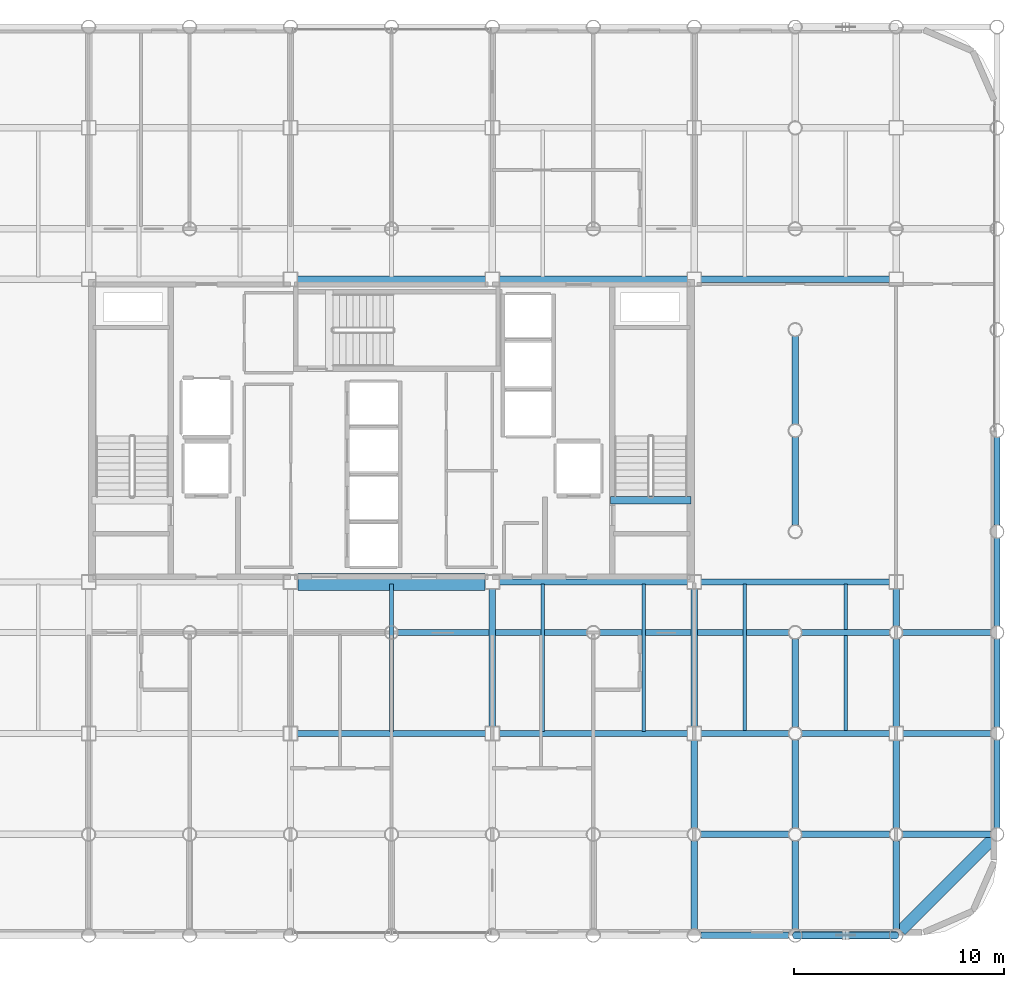
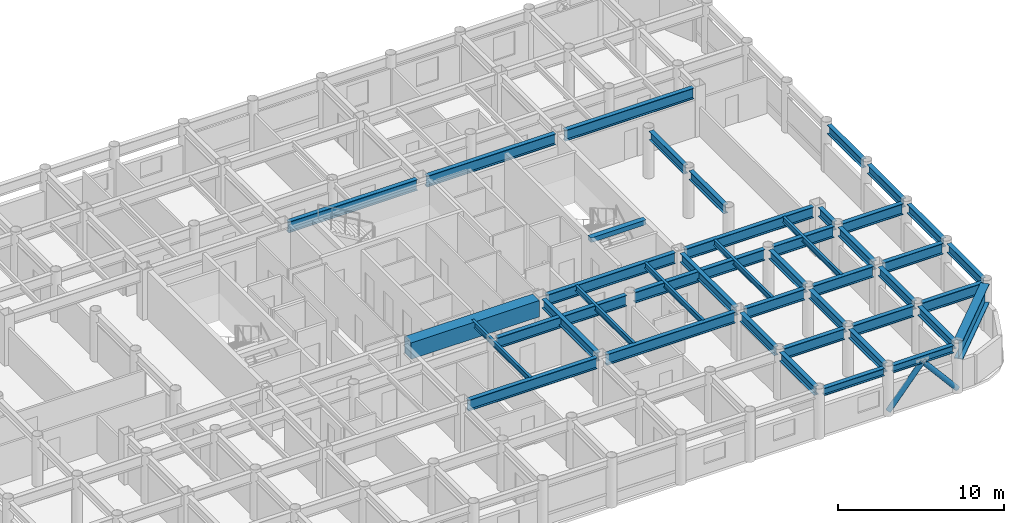
# One storey, part 7 of 20: 44 beams, 2 members.
"""IFC4 building model written with IfcOpenShell, lengths in metres."""

from ifc_helpers import new_model, si_unit, direction, frame, origin, origin_2d, place, context, subcontext, project, spatial, rectangle, hollow_circle, i_section, extrude, material, material_profile, profile_set, type_object, element, save


model = new_model("IFC4")

# Units and contexts
model_context = context("Model", 3, precision=1e-05, world=origin(), true_north=direction((0.0, 1.0)))
body_context = subcontext(model_context, "Body", "Model", "MODEL_VIEW")
ifc_project = project(units=[si_unit("LENGTHUNIT", "METRE"), si_unit("AREAUNIT", "SQUARE_METRE"), si_unit("VOLUMEUNIT", "CUBIC_METRE"), si_unit("PLANEANGLEUNIT", "RADIAN"), si_unit("MASSUNIT", "GRAM", prefix="KILO")], contexts=[model_context])

# Site, building, storey
site_placement = place(None, origin())
site = spatial("IfcSite", under=ifc_project, at=site_placement, CompositionType="ELEMENT")
building_placement = place(site_placement, origin())
building = spatial("IfcBuilding", under=site, at=building_placement, Name="Kallvorn Hotel Tower", CompositionType="ELEMENT")
storey_placement = place(building_placement, frame((0.0, 0.0, 161.800048828125)))
storey = spatial("IfcBuildingStorey", under=building, at=storey_placement, Name="L40", CompositionType="ELEMENT", Elevation=161.800048828125)

# Beams
ifc_material_1 = material(Name="Structural steel S355JR", Category="steel")
ifc_material_profile_1 = material_profile(ifc_material_1, i_section(OverallWidth=0.300048828125, OverallDepth=0.550048828125, WebThickness=0.014892578125, FlangeThickness=0.029052734375, at=origin_2d()), Name="HE 550 B")
ifc_profile_set_1 = profile_set([ifc_material_profile_1], Name="Structural steel S355JR")
beam_type_1 = type_object("IfcBeamType", Name="BM_HE550B", PredefinedType="SPANDREL", material=ifc_profile_set_1)
for number, where, z_axis, x_axis, name in (
    (1, (14.719970703125, -24.0, 3.244873046875), (1.0, 0.0, 0.0), (0.0, 1.0, 0.0), "L41 Perimeter Spandrel 160"),
    (2, (19.52001953125, -24.0, 3.244873046875), (1.0, 0.0, 0.0), (0.0, 1.0, 0.0), "L41 Perimeter Spandrel 161"),
):
    element("IfcBeam", number, at=place(storey_placement, frame(where, z_axis=z_axis, x_axis=x_axis)), inside=storey, type_object=beam_type_1, Name=name, PredefinedType="SPANDREL", context=body_context, shape_type="SweptSolid", body=[
        extrude(i_section(OverallWidth=0.300048828125, OverallDepth=0.550048828125, WebThickness=0.014892578125, FlangeThickness=0.029052734375, at=origin_2d()), origin(), (0.0, 0.0, 1.0), 4.159912109375),
    ])
ifc_material_2 = material(Name="Structural steel S355JR", Category="steel")
ifc_material_profile_2 = material_profile(ifc_material_2, i_section(OverallWidth=0.300048828125, OverallDepth=0.64990234375, WebThickness=0.01611328125, FlangeThickness=0.031005859375, at=origin_2d()), Name="HE 650 B")
ifc_profile_set_2 = profile_set([ifc_material_profile_2], Name="Structural steel S355JR")
beam_type_2 = type_object("IfcBeamType", Name="BM_HE650B", PredefinedType="BEAM", material=ifc_profile_set_2)
beam_1_placement = place(storey_placement, frame((4.800048828125, -14.074951171875, 3.195068359375), z_axis=(0.0, 1.0, 0.0), x_axis=(-1.0, 0.0, 0.0)))
element("IfcBeam", 3, at=beam_1_placement, inside=storey, type_object=beam_type_2, Name="L41 Primary Y-Girder 116", PredefinedType="BEAM", context=body_context, shape_type="SweptSolid", body=[
    extrude(i_section(OverallWidth=0.300048828125, OverallDepth=0.64990234375, WebThickness=0.01611328125, FlangeThickness=0.031005859375, at=origin_2d()), origin(), (0.0, 0.0, 1.0), 6.550048828125),
])
beam_2_placement = place(storey_placement, frame((14.39990234375, -23.695068359375, 3.195068359375), z_axis=(0.0, 1.0, 0.0), x_axis=(-1.0, 0.0, 0.0)))
element("IfcBeam", 4, at=beam_2_placement, inside=storey, type_object=beam_type_2, Name="L41 Primary Y-Girder 122", PredefinedType="BEAM", context=body_context, shape_type="SweptSolid", body=[
    extrude(i_section(OverallWidth=0.300048828125, OverallDepth=0.64990234375, WebThickness=0.01611328125, FlangeThickness=0.031005859375, at=origin_2d()), origin(), (0.0, 0.0, 1.0), 4.190185546875),
])
beam_3_placement = place(storey_placement, frame((14.39990234375, -18.89501953125, 3.195068359375), z_axis=(0.0, 1.0, 0.0), x_axis=(-1.0, 0.0, 0.0)))
element("IfcBeam", 5, at=beam_3_placement, inside=storey, type_object=beam_type_2, Name="L41 Primary Y-Girder 123", PredefinedType="BEAM", context=body_context, shape_type="SweptSolid", body=[
    extrude(i_section(OverallWidth=0.300048828125, OverallDepth=0.64990234375, WebThickness=0.01611328125, FlangeThickness=0.031005859375, at=origin_2d()), origin(), (0.0, 0.0, 1.0), 4.169921875),
])
beam_4_placement = place(storey_placement, frame((14.39990234375, -14.074951171875, 3.195068359375), z_axis=(0.0, 1.0, 0.0), x_axis=(-1.0, 0.0, 0.0)))
element("IfcBeam", 6, at=beam_4_placement, inside=storey, type_object=beam_type_2, Name="L41 Primary Y-Girder 124", PredefinedType="BEAM", context=body_context, shape_type="SweptSolid", body=[
    extrude(i_section(OverallWidth=0.300048828125, OverallDepth=0.64990234375, WebThickness=0.01611328125, FlangeThickness=0.031005859375, at=origin_2d()), origin(), (0.0, 0.0, 1.0), 6.550048828125),
])
beam_5_placement = place(storey_placement, frame((19.199951171875, -23.695068359375, 3.195068359375), z_axis=(0.0, 1.0, 0.0), x_axis=(-1.0, 0.0, 0.0)))
element("IfcBeam", 7, at=beam_5_placement, inside=storey, type_object=beam_type_2, Name="L41 Primary Y-Girder 127", PredefinedType="BEAM", context=body_context, shape_type="SweptSolid", body=[
    extrude(i_section(OverallWidth=0.300048828125, OverallDepth=0.64990234375, WebThickness=0.01611328125, FlangeThickness=0.031005859375, at=origin_2d()), origin(), (0.0, 0.0, 1.0), 4.190185546875),
])
for number, where, z_axis, x_axis, name in (
    (8, (19.199951171875, -18.89501953125, 3.195068359375), (0.0, 1.0, 0.0), (-1.0, 0.0, 0.0), "L41 Primary Y-Girder 128"),
    (9, (19.199951171875, -14.094970703125, 3.195068359375), (0.0, 1.0, 0.0), (-1.0, 0.0, 0.0), "L41 Primary Y-Girder 129"),
):
    element("IfcBeam", number, at=place(storey_placement, frame(where, z_axis=z_axis, x_axis=x_axis)), inside=storey, type_object=beam_type_2, Name=name, PredefinedType="BEAM", context=body_context, shape_type="SweptSolid", body=[
        extrude(i_section(OverallWidth=0.300048828125, OverallDepth=0.64990234375, WebThickness=0.01611328125, FlangeThickness=0.031005859375, at=origin_2d()), origin(), (0.0, 0.0, 1.0), 4.18994140625),
    ])
for number, where, z_axis, x_axis, name in (
    (10, (19.199951171875, -4.4951171875, 3.195068359375), (0.0, 1.0, 0.0), (-1.0, 0.0, 0.0), "L41 Primary Y-Girder 131"),
    (11, (19.199951171875, 0.304931640625, 3.195068359375), (0.0, 1.0, 0.0), (-1.0, 0.0, 0.0), "L41 Primary Y-Girder 132"),
    (12, (24.0, -23.695068359375, 3.195068359375), (0.0, 1.0, 0.0), (-1.0, 0.0, 0.0), "L41 Primary Y-Girder 136"),
):
    element("IfcBeam", number, at=place(storey_placement, frame(where, z_axis=z_axis, x_axis=x_axis)), inside=storey, type_object=beam_type_2, Name=name, PredefinedType="BEAM", context=body_context, shape_type="SweptSolid", body=[
        extrude(i_section(OverallWidth=0.300048828125, OverallDepth=0.64990234375, WebThickness=0.01611328125, FlangeThickness=0.031005859375, at=origin_2d()), origin(), (0.0, 0.0, 1.0), 4.190185546875),
    ])
for number, where, z_axis, x_axis, name in (
    (13, (24.0, -18.89501953125, 3.195068359375), (0.0, 1.0, 0.0), (-1.0, 0.0, 0.0), "L41 Primary Y-Girder 137"),
    (14, (24.0, -14.074951171875, 3.195068359375), (0.0, 1.0, 0.0), (-1.0, 0.0, 0.0), "L41 Primary Y-Girder 138"),
):
    element("IfcBeam", number, at=place(storey_placement, frame(where, z_axis=z_axis, x_axis=x_axis)), inside=storey, type_object=beam_type_2, Name=name, PredefinedType="BEAM", context=body_context, shape_type="SweptSolid", body=[
        extrude(i_section(OverallWidth=0.300048828125, OverallDepth=0.64990234375, WebThickness=0.01611328125, FlangeThickness=0.031005859375, at=origin_2d()), origin(), (0.0, 0.0, 1.0), 4.169921875),
    ])
beam_6_placement = place(storey_placement, frame((24.0, -9.294921875, 3.195068359375), z_axis=(0.0, 1.0, 0.0), x_axis=(-1.0, 0.0, 0.0)))
element("IfcBeam", 15, at=beam_6_placement, inside=storey, type_object=beam_type_2, Name="L41 Primary Y-Girder 139", PredefinedType="BEAM", context=body_context, shape_type="SweptSolid", body=[
    extrude(i_section(OverallWidth=0.300048828125, OverallDepth=0.64990234375, WebThickness=0.01611328125, FlangeThickness=0.031005859375, at=origin_2d()), origin(), (0.0, 0.0, 1.0), 1.77001953125),
])
for number, where, z_axis, x_axis, name in (
    (16, (28.800048828125, -18.89501953125, 3.195068359375), (0.0, 1.0, 0.0), (-1.0, 0.0, 0.0), "L41 Primary Y-Girder 143"),
    (17, (28.800048828125, -14.094970703125, 3.195068359375), (0.0, 1.0, 0.0), (-1.0, 0.0, 0.0), "L41 Primary Y-Girder 144"),
    (18, (28.800048828125, -9.294921875, 3.195068359375), (0.0, 1.0, 0.0), (-1.0, 0.0, 0.0), "L41 Primary Y-Girder 145"),
):
    element("IfcBeam", number, at=place(storey_placement, frame(where, z_axis=z_axis, x_axis=x_axis)), inside=storey, type_object=beam_type_2, Name=name, PredefinedType="BEAM", context=body_context, shape_type="SweptSolid", body=[
        extrude(i_section(OverallWidth=0.300048828125, OverallDepth=0.64990234375, WebThickness=0.01611328125, FlangeThickness=0.031005859375, at=origin_2d()), origin(), (0.0, 0.0, 1.0), 4.18994140625),
    ])
beam_7_placement = place(storey_placement, frame((28.800048828125, -4.4951171875, 3.195068359375), z_axis=(0.0, 1.0, 0.0), x_axis=(-1.0, 0.0, 0.0)))
element("IfcBeam", 19, at=beam_7_placement, inside=storey, type_object=beam_type_2, Name="L41 Primary Y-Girder 146", PredefinedType="BEAM", context=body_context, shape_type="SweptSolid", body=[
    extrude(i_section(OverallWidth=0.300048828125, OverallDepth=0.64990234375, WebThickness=0.01611328125, FlangeThickness=0.031005859375, at=origin_2d()), origin(), (0.0, 0.0, 1.0), 4.190185546875),
])
ifc_material_3 = material(Name="Structural steel S355JR", Category="steel")
ifc_material_profile_3 = material_profile(ifc_material_3, i_section(OverallWidth=0.300048828125, OverallDepth=0.800048828125, WebThickness=0.017578125, FlangeThickness=0.032958984375, at=origin_2d()), Name="HE 800 B")
ifc_profile_set_3 = profile_set([ifc_material_profile_3], Name="Structural steel S355JR")
beam_type_3 = type_object("IfcBeamType", Name="BM_HE800B", PredefinedType="BEAM", material=ifc_profile_set_3)
beam_8_placement = place(storey_placement, frame((14.705078125, -19.199951171875, 3.119873046875), z_axis=(1.0, 0.0, 0.0), x_axis=(0.0, 1.0, 0.0)))
element("IfcBeam", 20, at=beam_8_placement, inside=storey, type_object=beam_type_3, Name="L41 Primary X-Girder 11", PredefinedType="BEAM", context=body_context, shape_type="SweptSolid", body=[
    extrude(i_section(OverallWidth=0.300048828125, OverallDepth=0.800048828125, WebThickness=0.017578125, FlangeThickness=0.032958984375, at=origin_2d()), origin(), (0.0, 0.0, 1.0), 4.18994140625),
])
for number, where, z_axis, x_axis, name in (
    (21, (19.5048828125, -19.199951171875, 3.119873046875), (1.0, 0.0, 0.0), (0.0, 1.0, 0.0), "L41 Primary X-Girder 12"),
    (22, (24.304931640625, -19.199951171875, 3.119873046875), (1.0, 0.0, 0.0), (0.0, 1.0, 0.0), "L41 Primary X-Girder 13"),
):
    element("IfcBeam", number, at=place(storey_placement, frame(where, z_axis=z_axis, x_axis=x_axis)), inside=storey, type_object=beam_type_3, Name=name, PredefinedType="BEAM", context=body_context, shape_type="SweptSolid", body=[
        extrude(i_section(OverallWidth=0.300048828125, OverallDepth=0.800048828125, WebThickness=0.017578125, FlangeThickness=0.032958984375, at=origin_2d()), origin(), (0.0, 0.0, 1.0), 4.190185546875),
    ])
beam_9_placement = place(storey_placement, frame((-4.47509765625, -14.39990234375, 3.119873046875), z_axis=(1.0, 0.0, 0.0), x_axis=(0.0, 1.0, 0.0)))
element("IfcBeam", 23, at=beam_9_placement, inside=storey, type_object=beam_type_3, Name="L41 Primary X-Girder 19", PredefinedType="BEAM", context=body_context, shape_type="SweptSolid", body=[
    extrude(i_section(OverallWidth=0.300048828125, OverallDepth=0.800048828125, WebThickness=0.017578125, FlangeThickness=0.032958984375, at=origin_2d()), origin(), (0.0, 0.0, 1.0), 8.9501953125),
])
beam_10_placement = place(storey_placement, frame((5.125, -14.39990234375, 3.119873046875), z_axis=(1.0, 0.0, 0.0), x_axis=(0.0, 1.0, 0.0)))
element("IfcBeam", 24, at=beam_10_placement, inside=storey, type_object=beam_type_3, Name="L41 Primary X-Girder 20", PredefinedType="BEAM", context=body_context, shape_type="SweptSolid", body=[
    extrude(i_section(OverallWidth=0.300048828125, OverallDepth=0.800048828125, WebThickness=0.017578125, FlangeThickness=0.032958984375, at=origin_2d()), origin(), (0.0, 0.0, 1.0), 8.949951171875),
])
beam_11_placement = place(storey_placement, frame((14.72509765625, -14.39990234375, 3.119873046875), z_axis=(1.0, 0.0, 0.0), x_axis=(0.0, 1.0, 0.0)))
element("IfcBeam", 25, at=beam_11_placement, inside=storey, type_object=beam_type_3, Name="L41 Primary X-Girder 21", PredefinedType="BEAM", context=body_context, shape_type="SweptSolid", body=[
    extrude(i_section(OverallWidth=0.300048828125, OverallDepth=0.800048828125, WebThickness=0.017578125, FlangeThickness=0.032958984375, at=origin_2d()), origin(), (0.0, 0.0, 1.0), 4.169921875),
])
for number, where, z_axis, x_axis, name in (
    (26, (19.5048828125, -14.39990234375, 3.119873046875), (1.0, 0.0, 0.0), (0.0, 1.0, 0.0), "L41 Primary X-Girder 22"),
    (27, (24.324951171875, -14.39990234375, 3.119873046875), (1.0, 0.0, 0.0), (0.0, 1.0, 0.0), "L41 Primary X-Girder 23"),
):
    element("IfcBeam", number, at=place(storey_placement, frame(where, z_axis=z_axis, x_axis=x_axis)), inside=storey, type_object=beam_type_3, Name=name, PredefinedType="BEAM", context=body_context, shape_type="SweptSolid", body=[
        extrude(i_section(OverallWidth=0.300048828125, OverallDepth=0.800048828125, WebThickness=0.017578125, FlangeThickness=0.032958984375, at=origin_2d()), origin(), (0.0, 0.0, 1.0), 4.170166015625),
    ])
for number, where, z_axis, x_axis, name in (
    (28, (0.304931640625, -9.60009765625, 3.119873046875), (1.0, 0.0, 0.0), (0.0, 1.0, 0.0), "L41 Primary X-Girder 29"),
    (29, (9.905029296875, -9.60009765625, 3.119873046875), (1.0, 0.0, 0.0), (0.0, 1.0, 0.0), "L41 Primary X-Girder 30"),
):
    element("IfcBeam", number, at=place(storey_placement, frame(where, z_axis=z_axis, x_axis=x_axis)), inside=storey, type_object=beam_type_3, Name=name, PredefinedType="BEAM", context=body_context, shape_type="SweptSolid", body=[
        extrude(i_section(OverallWidth=0.300048828125, OverallDepth=0.800048828125, WebThickness=0.017578125, FlangeThickness=0.032958984375, at=origin_2d()), origin(), (0.0, 0.0, 1.0), 8.989990234375),
    ])
for number, where, z_axis, x_axis, name in (
    (30, (19.5048828125, -9.60009765625, 3.119873046875), (1.0, 0.0, 0.0), (0.0, 1.0, 0.0), "L41 Primary X-Girder 31"),
    (31, (24.304931640625, -9.60009765625, 3.119873046875), (1.0, 0.0, 0.0), (0.0, 1.0, 0.0), "L41 Primary X-Girder 32"),
):
    element("IfcBeam", number, at=place(storey_placement, frame(where, z_axis=z_axis, x_axis=x_axis)), inside=storey, type_object=beam_type_3, Name=name, PredefinedType="BEAM", context=body_context, shape_type="SweptSolid", body=[
        extrude(i_section(OverallWidth=0.300048828125, OverallDepth=0.800048828125, WebThickness=0.017578125, FlangeThickness=0.032958984375, at=origin_2d()), origin(), (0.0, 0.0, 1.0), 4.190185546875),
    ])
for number, where, z_axis, x_axis, name in (
    (32, (5.125, -7.199951171875, 3.119873046875), (1.0, 0.0, 0.0), (0.0, 1.0, 0.0), "L41 Primary X-Girder 35"),
    (33, (14.72509765625, -7.199951171875, 3.119873046875), (1.0, 0.0, 0.0), (0.0, 1.0, 0.0), "L41 Primary X-Girder 36"),
):
    element("IfcBeam", number, at=place(storey_placement, frame(where, z_axis=z_axis, x_axis=x_axis)), inside=storey, type_object=beam_type_3, Name=name, PredefinedType="BEAM", context=body_context, shape_type="SweptSolid", body=[
        extrude(i_section(OverallWidth=0.300048828125, OverallDepth=0.800048828125, WebThickness=0.017578125, FlangeThickness=0.032958984375, at=origin_2d()), origin(), (0.0, 0.0, 1.0), 8.949951171875),
    ])
beam_12_placement = place(storey_placement, frame((-4.47509765625, 7.199951171875, 3.119873046875), z_axis=(1.0, 0.0, 0.0), x_axis=(0.0, 1.0, 0.0)))
element("IfcBeam", 34, at=beam_12_placement, inside=storey, type_object=beam_type_3, Name="L41 Primary X-Girder 39", PredefinedType="BEAM", context=body_context, shape_type="SweptSolid", body=[
    extrude(i_section(OverallWidth=0.300048828125, OverallDepth=0.800048828125, WebThickness=0.017578125, FlangeThickness=0.032958984375, at=origin_2d()), origin(), (0.0, 0.0, 1.0), 8.9501953125),
])
for number, where, z_axis, x_axis, name in (
    (35, (5.125, 7.199951171875, 3.119873046875), (1.0, 0.0, 0.0), (0.0, 1.0, 0.0), "L41 Primary X-Girder 40"),
    (36, (14.72509765625, 7.199951171875, 3.119873046875), (1.0, 0.0, 0.0), (0.0, 1.0, 0.0), "L41 Primary X-Girder 41"),
):
    element("IfcBeam", number, at=place(storey_placement, frame(where, z_axis=z_axis, x_axis=x_axis)), inside=storey, type_object=beam_type_3, Name=name, PredefinedType="BEAM", context=body_context, shape_type="SweptSolid", body=[
        extrude(i_section(OverallWidth=0.300048828125, OverallDepth=0.800048828125, WebThickness=0.017578125, FlangeThickness=0.032958984375, at=origin_2d()), origin(), (0.0, 0.0, 1.0), 8.949951171875),
    ])
ifc_material_4 = material(Name="Structural steel S355JR", Category="steel")
ifc_material_profile_4 = material_profile(ifc_material_4, i_section(OverallWidth=0.179931640625, OverallDepth=0.39990234375, WebThickness=0.008544921875, FlangeThickness=0.013427734375, at=origin_2d()), Name="IPE 400")
ifc_profile_set_4 = profile_set([ifc_material_profile_4], Name="Structural steel S355JR")
beam_type_4 = type_object("IfcBeamType", Name="BM_IPE400", PredefinedType="JOIST", material=ifc_profile_set_4)
for number, where, z_axis, x_axis, name in (
    (37, (0.0, -14.300048828125, 3.320068359375), (0.0, 1.0, 0.0), (-1.0, 0.0, 0.0), "L41 Secondary Composite Joist 200"),
    (38, (7.199951171875, -14.300048828125, 3.320068359375), (0.0, 1.0, 0.0), (-1.0, 0.0, 0.0), "L41 Secondary Composite Joist 202"),
    (39, (12.0, -14.300048828125, 3.320068359375), (0.0, 1.0, 0.0), (-1.0, 0.0, 0.0), "L41 Secondary Composite Joist 204"),
    (40, (16.800048828125, -14.300048828125, 3.320068359375), (0.0, 1.0, 0.0), (-1.0, 0.0, 0.0), "L41 Secondary Composite Joist 206"),
    (41, (21.60009765625, -14.300048828125, 3.320068359375), (0.0, 1.0, 0.0), (-1.0, 0.0, 0.0), "L41 Secondary Composite Joist 208"),
):
    element("IfcBeam", number, at=place(storey_placement, frame(where, z_axis=z_axis, x_axis=x_axis)), inside=storey, type_object=beam_type_4, Name=name, PredefinedType="JOIST", context=body_context, shape_type="SweptSolid", body=[
        extrude(i_section(OverallWidth=0.179931640625, OverallDepth=0.39990234375, WebThickness=0.008544921875, FlangeThickness=0.013427734375, at=origin_2d()), origin(), (0.0, 0.0, 1.0), 7.0),
    ])
ifc_material_5 = material(Name="Structural steel S355JR", Category="steel")
ifc_material_profile_5 = material_profile(ifc_material_5, i_section(OverallWidth=0.550048828125, OverallDepth=1.39990234375, WebThickness=0.02490234375, FlangeThickness=0.044921875, at=origin_2d()), Name="PG 1400x550x25x45")
ifc_profile_set_5 = profile_set([ifc_material_profile_5], Name="Structural steel S355JR")
beam_type_5 = type_object("IfcBeamType", Name="BM_PG_1400", PredefinedType="BEAM", material=ifc_profile_set_5)
beam_13_placement = place(storey_placement, frame((28.57373046875, -19.42626953125, 2.820068359375), z_axis=(-0.707106781187, -0.707106781187, 0.0), x_axis=(0.707106781187, -0.707106781187, 0.0)))
element("IfcBeam", 42, at=beam_13_placement, inside=storey, type_object=beam_type_5, Name="L41 Rounded Corner Tie Beam 191", PredefinedType="BEAM", context=body_context, shape_type="SweptSolid", body=[
    extrude(i_section(OverallWidth=0.550048828125, OverallDepth=1.39990234375, WebThickness=0.02490234375, FlangeThickness=0.044921875, at=origin_2d()), origin(), (0.0, 0.0, 1.0), 6.148193359375),
])
ifc_material_6 = material(Name="Concrete C50/60", Category="concrete")
ifc_material_profile_6 = material_profile(ifc_material_6, rectangle(XDim=0.360107421875, YDim=0.340087890625, at=origin_2d()), Name="RC 360x340")
ifc_profile_set_6 = profile_set([ifc_material_profile_6], Name="Concrete C50/60")
beam_type_6 = type_object("IfcBeamType", Name="BM_RC_400x360", PredefinedType="BEAM", material=ifc_profile_set_6)
beam_14_placement = place(storey_placement, frame((14.239990234375, -3.31005859375, 3.349853515625), z_axis=(-1.0, 0.0, 0.0), x_axis=(0.0, -1.0, 0.0)))
element("IfcBeam", 43, at=beam_14_placement, inside=storey, type_object=beam_type_6, Name="L41 Stair ST2 Arrival Trimmer Beam", PredefinedType="BEAM", context=body_context, shape_type="SweptSolid", body=[
    extrude(rectangle(XDim=0.360107421875, YDim=0.340087890625, at=origin_2d()), origin(), (0.0, 0.0, 1.0), 3.820068359375),
])
ifc_material_7 = material(Name="Concrete C50/60", Category="concrete")
ifc_material_profile_7 = material_profile(ifc_material_7, rectangle(XDim=0.800048828125, YDim=1.199951171875, at=origin_2d()), Name="RC 800x1200")
ifc_profile_set_7 = profile_set([ifc_material_profile_7], Name="Concrete C50/60")
beam_type_7 = type_object("IfcBeamType", Name="BM_RC_800x1200", PredefinedType="T_BEAM", material=ifc_profile_set_7)
beam_15_placement = place(storey_placement, frame((-4.449951171875, -7.199951171875, 2.919921875), z_axis=(1.0, 0.0, 0.0), x_axis=(0.0, 1.0, 0.0)))
element("IfcBeam", 44, at=beam_15_placement, inside=storey, type_object=beam_type_7, Name="L40 Core Coupling Beam South", PredefinedType="T_BEAM", context=body_context, shape_type="SweptSolid", body=[
    extrude(rectangle(XDim=0.800048828125, YDim=1.199951171875, at=origin_2d()), origin(), (0.0, 0.0, 1.0), 8.89990234375),
])

# Members
ifc_material_8 = material(Name="Structural steel S355J2H", Category="steel")
ifc_material_profile_8 = material_profile(ifc_material_8, hollow_circle(Radius=0.177734375, WallThickness=0.01416015625, at=origin_2d()), Name="CHS 355.6x14.2")
ifc_profile_set_8 = profile_set([ifc_material_profile_8], Name="Structural steel S355J2H")
member_type = type_object("IfcMemberType", Name="MBR_EXO_CHS355", PredefinedType="BRACE", material=ifc_profile_set_8)
for number, where, z_axis, x_axis, name in (
    (45, (19.212890625, -24.0, 0.1953125), (0.646833296797, 0.0, 0.762631422218), (0.0, 1.0, 0.0), "L40 Exoskeleton K-Brace S2A"),
    (46, (23.987060546875, -24.0, 0.1953125), (-0.646833296797, 0.0, 0.762631422218), (0.0, -1.0, 0.0), "L40 Exoskeleton K-Brace S2B"),
):
    element("IfcMember", number, at=place(storey_placement, frame(where, z_axis=z_axis, x_axis=x_axis)), inside=storey, type_object=member_type, Name=name, PredefinedType="BRACE", context=body_context, shape_type="SweptSolid", body=[
        extrude(hollow_circle(Radius=0.177734375, WallThickness=0.01416015625, at=origin_2d()), origin(), (0.0, 0.0, 1.0), 3.670654296875),
    ])

save(model, "model.ifc")
